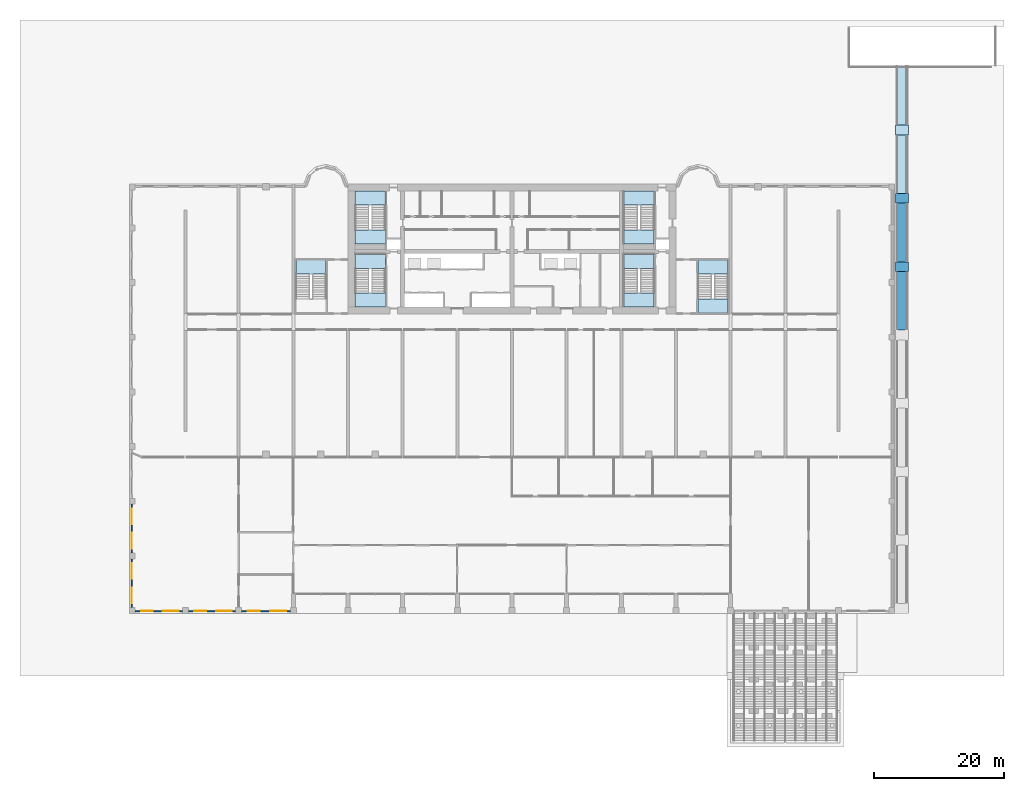
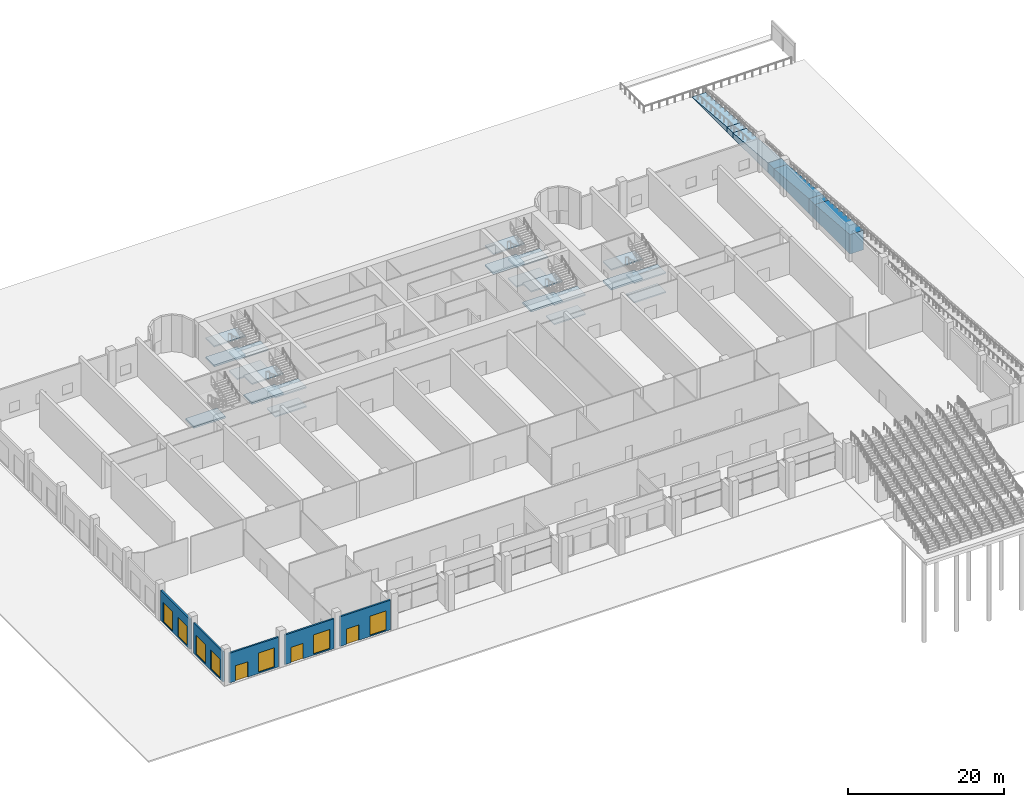
# One storey, part 6 of 20: 28 slabs, 7 windows, 5 walls, 3 doors, 10 openings, 5 elements without a shape of their own.
"""IFC4 building model written with IfcOpenShell, lengths in metres."""

from ifc_helpers import new_model, si_unit, direction, frame, frame_2d, origin, place, context, subcontext, project, spatial, polyline, rectangle, outline, extrude, source, transform, mapped, material, layer, layer_set, type_object, element, fill, aggregate, save


model = new_model("IFC4")

# Units and contexts
model_context = context("Model", 3, precision=1e-05, world=origin(), true_north=direction((0.0, 1.0)))
body_context = subcontext(model_context, "Body", "Model", "MODEL_VIEW")
ifc_project = project(units=[si_unit("LENGTHUNIT", "METRE"), si_unit("AREAUNIT", "SQUARE_METRE"), si_unit("VOLUMEUNIT", "CUBIC_METRE"), si_unit("PLANEANGLEUNIT", "RADIAN"), si_unit("MASSUNIT", "GRAM", prefix="KILO")], contexts=[model_context])

# Site, building, storey
site_placement = place(None, origin())
site = spatial("IfcSite", under=ifc_project, at=site_placement, CompositionType="ELEMENT")
building_placement = place(site_placement, origin())
building = spatial("IfcBuilding", under=site, at=building_placement, Name="Vanashikhar Sky Hotel", CompositionType="ELEMENT")
storey_placement = place(building_placement, origin())
storey = spatial("IfcBuildingStorey", under=building, at=storey_placement, Name="L00", CompositionType="ELEMENT", Elevation=0.0)

# Slabs
ifc_material_1 = material(Name="Concrete M30", Category="concrete")
slab_type_1 = type_object("IfcSlabType", Name="Ramp flight 2000", PredefinedType="USERDEFINED", material=ifc_material_1)
shared_shape_1 = source(origin(), body_context, "Body", "SweptSolid", [
    extrude(outline(polyline([(0.0, 0.0), (9.0, 0.0), (9.0, 0.800048828125), (0.0, 0.050048828125), (0.0, 0.0)])), frame((0.0, 1.0, 0.0), z_axis=(0.0, -1.0, 0.0), x_axis=(1.0, 0.0, 0.0)), (0.0, 0.0, 1.0), 2.0),
])
slab_1_placement = place(storey_placement, frame((110.300048828125, 60.050048828125, -0.050048828125), z_axis=(0.0, 0.0, 1.0), x_axis=(0.0, -1.0, 0.0)))
element("IfcSlab", 1, at=slab_1_placement, inside=storey, type_object=slab_type_1, Name="Entrance ramp slab 1", ObjectType="Ramp slab", PredefinedType="USERDEFINED", context=body_context, shape_type="MappedRepresentation", body=[
    mapped(shared_shape_1, transform((0.0, 0.0, 0.0), scale=1.0)),
])
ifc_material_2 = material(Name="Concrete M40", Category="concrete")
ifc_layer_1 = layer(ifc_material_2, 0.25)
ifc_layer_set_1 = layer_set([ifc_layer_1], Name="Ramp landing")
slab_type_2 = type_object("IfcSlabType", Name="Ramp landing", PredefinedType="LANDING", material=ifc_layer_set_1)
shared_shape_2 = source(origin(), body_context, "Body", "SweptSolid", [
    extrude(outline(polyline([(109.300048828125, 51.050048828125), (111.300048828125, 51.050048828125), (111.300048828125, 49.550048828125), (109.300048828125, 49.550048828125), (109.300048828125, 51.050048828125)])), origin(), (0.0, 0.0, 1.0), 0.800048828125),
])
slab_2_placement = place(storey_placement, frame((0.0, 0.0, -0.050048828125)))
element("IfcSlab", 2, at=slab_2_placement, inside=storey, type_object=slab_type_2, Name="Ramp landing", PredefinedType="LANDING", context=body_context, shape_type="MappedRepresentation", body=[
    mapped(shared_shape_2, transform((0.0, 0.0, 0.0), scale=1.0)),
])
shared_shape_3 = source(origin(), body_context, "Body", "SweptSolid", [
    extrude(outline(polyline([(0.0, 0.0), (9.0, 0.0), (9.0, 1.550048828125), (0.0, 0.800048828125), (0.0, 0.0)])), frame((0.0, 1.0, 0.0), z_axis=(0.0, -1.0, 0.0), x_axis=(1.0, 0.0, 0.0)), (0.0, 0.0, 1.0), 2.0),
])
slab_3_placement = place(storey_placement, frame((110.300048828125, 49.550048828125, -0.050048828125), z_axis=(0.0, 0.0, 1.0), x_axis=(0.0, -1.0, 0.0)))
element("IfcSlab", 3, at=slab_3_placement, inside=storey, type_object=slab_type_1, Name="Entrance ramp slab 2", ObjectType="Ramp slab", PredefinedType="USERDEFINED", context=body_context, shape_type="MappedRepresentation", body=[
    mapped(shared_shape_3, transform((0.0, 0.0, 0.0), scale=1.0)),
])
shared_shape_4 = source(origin(), body_context, "Body", "SweptSolid", [
    extrude(outline(polyline([(109.300048828125, 40.550048828125), (111.300048828125, 40.550048828125), (111.300048828125, 39.050048828125), (109.300048828125, 39.050048828125), (109.300048828125, 40.550048828125)])), origin(), (0.0, 0.0, 1.0), 1.550048828125),
])
slab_4_placement = place(storey_placement, frame((0.0, 0.0, -0.050048828125)))
element("IfcSlab", 4, at=slab_4_placement, inside=storey, type_object=slab_type_2, Name="Ramp landing", PredefinedType="LANDING", context=body_context, shape_type="MappedRepresentation", body=[
    mapped(shared_shape_4, transform((0.0, 0.0, 0.0), scale=1.0)),
])
shared_shape_5 = source(origin(), body_context, "Body", "SweptSolid", [
    extrude(outline(polyline([(0.0, 0.0), (9.0, 0.0), (9.0, 2.300048828125), (0.0, 1.550048828125), (0.0, 0.0)])), frame((0.0, 1.0, 0.0), z_axis=(0.0, -1.0, 0.0), x_axis=(1.0, 0.0, 0.0)), (0.0, 0.0, 1.0), 2.0),
])
slab_5_placement = place(storey_placement, frame((110.300048828125, 39.050048828125, -0.050048828125), z_axis=(0.0, 0.0, 1.0), x_axis=(0.0, -1.0, 0.0)))
element("IfcSlab", 5, at=slab_5_placement, inside=storey, type_object=slab_type_1, Name="Entrance ramp slab 3", ObjectType="Ramp slab", PredefinedType="USERDEFINED", context=body_context, shape_type="MappedRepresentation", body=[
    mapped(shared_shape_5, transform((0.0, 0.0, 0.0), scale=1.0)),
])
shared_shape_6 = source(origin(), body_context, "Body", "SweptSolid", [
    extrude(outline(polyline([(109.300048828125, 30.050048828125), (111.300048828125, 30.050048828125), (111.300048828125, 28.550048828125), (109.300048828125, 28.550048828125), (109.300048828125, 30.050048828125)])), origin(), (0.0, 0.0, 1.0), 2.300048828125),
])
slab_6_placement = place(storey_placement, frame((0.0, 0.0, -0.050048828125)))
element("IfcSlab", 6, at=slab_6_placement, inside=storey, type_object=slab_type_2, Name="Ramp landing", PredefinedType="LANDING", context=body_context, shape_type="MappedRepresentation", body=[
    mapped(shared_shape_6, transform((0.0, 0.0, 0.0), scale=1.0)),
])
shared_shape_7 = source(origin(), body_context, "Body", "SweptSolid", [
    extrude(outline(polyline([(0.0, 0.0), (9.0, 0.0), (9.0, 3.050048828125), (0.0, 2.300048828125), (0.0, 0.0)])), frame((0.0, 1.0, 0.0), z_axis=(0.0, -1.0, 0.0), x_axis=(1.0, 0.0, 0.0)), (0.0, 0.0, 1.0), 2.0),
])
slab_7_placement = place(storey_placement, frame((110.300048828125, 28.550048828125, -0.050048828125), z_axis=(0.0, 0.0, 1.0), x_axis=(0.0, -1.0, 0.0)))
element("IfcSlab", 7, at=slab_7_placement, inside=storey, type_object=slab_type_1, Name="Entrance ramp slab 4", ObjectType="Ramp slab", PredefinedType="USERDEFINED", context=body_context, shape_type="MappedRepresentation", body=[
    mapped(shared_shape_7, transform((0.0, 0.0, 0.0), scale=1.0)),
])

# Stair, slabs
stair_type = type_object("IfcStairType", Name="Exit stair 2150", PredefinedType="DOUBLE_RETURN_STAIR", material=ifc_material_2)
stair_1_placement = place(storey_placement, origin())
stair_1 = element("IfcStair", 8, at=stair_1_placement, inside=storey, type_object=stair_type, Name="L00 Exit stair 1", PredefinedType="DOUBLE_RETURN_STAIR")
ifc_layer_2 = layer(ifc_material_2, 0.199951171875)
ifc_layer_set_2 = layer_set([ifc_layer_2], Name="Stair landing 200")
slab_type_3 = type_object("IfcSlabType", Name="Stair landing 200", PredefinedType="LANDING", material=ifc_layer_set_2)
shared_shape_8 = source(origin(), body_context, "Body", "SweptSolid", [
    extrude(outline(polyline([(30.949951171875, 29.050048828125), (30.949951171875, 31.199951171875), (26.300048828125, 31.199951171875), (26.300048828125, 29.050048828125), (30.949951171875, 29.050048828125)])), origin(), (0.0, 0.0, 1.0), 0.199951171875),
])
slab_8_placement = place(storey_placement, frame((0.0, 0.0, 2.800048828125)))
slab_8 = element("IfcSlab", 9, at=slab_8_placement, type_object=slab_type_3, Name="ST-C1 landing 2", PredefinedType="LANDING", context=body_context, shape_type="MappedRepresentation", body=[
    mapped(shared_shape_8, transform((0.0, 0.0, 0.0), scale=1.0)),
])
shared_shape_9 = source(origin(), body_context, "Body", "SweptSolid", [
    extrude(outline(polyline([(30.949951171875, 23.10009765625), (30.949951171875, 25.25), (26.300048828125, 25.25), (26.300048828125, 23.10009765625), (30.949951171875, 23.10009765625)])), origin(), (0.0, 0.0, 1.0), 0.199951171875),
])
slab_9_placement = place(storey_placement, frame((0.0, 0.0, 1.300048828125)))
slab_9 = element("IfcSlab", 10, at=slab_9_placement, type_object=slab_type_3, Name="ST-C1 landing 1", PredefinedType="LANDING", context=body_context, shape_type="MappedRepresentation", body=[
    mapped(shared_shape_9, transform((0.0, 0.0, 0.0), scale=1.0)),
])
slab_10_placement = place(storey_placement, frame((0.0, 0.0, 4.300048828125)))
slab_10 = element("IfcSlab", 11, at=slab_10_placement, type_object=slab_type_3, Name="ST-C1 landing 3", PredefinedType="LANDING", context=body_context, shape_type="MappedRepresentation", body=[
    mapped(shared_shape_9, transform((0.0, 0.0, 0.0), scale=1.0)),
])
aggregate(stair_1, [slab_9, slab_8, slab_10])

# Slab
ifc_layer_3 = layer(ifc_material_2, 0.280029296875)
ifc_layer_set_3 = layer_set([ifc_layer_3], Name="Stair floor landing 280")
slab_type_4 = type_object("IfcSlabType", Name="Stair floor landing 280", PredefinedType="LANDING", material=ifc_layer_set_3)
shared_shape_10 = source(origin(), body_context, "Body", "SweptSolid", [
    extrude(outline(polyline([(30.949951171875, 29.050048828125), (30.949951171875, 31.199951171875), (26.300048828125, 31.199951171875), (26.300048828125, 29.050048828125), (30.949951171875, 29.050048828125)])), origin(), (0.0, 0.0, 1.0), 0.280029296875),
])
slab_11_placement = place(storey_placement, frame((0.0, 0.0, -0.280029296875)))
element("IfcSlab", 12, at=slab_11_placement, inside=storey, type_object=slab_type_4, Name="Exit stair 1 floor landing", PredefinedType="LANDING", context=body_context, shape_type="MappedRepresentation", body=[
    mapped(shared_shape_10, transform((0.0, 0.0, 0.0), scale=1.0)),
])

# Stair, slabs
stair_2_placement = place(storey_placement, origin())
stair_2 = element("IfcStair", 13, at=stair_2_placement, inside=storey, type_object=stair_type, Name="L00 Exit stair 2", PredefinedType="DOUBLE_RETURN_STAIR")
shared_shape_11 = source(origin(), body_context, "Body", "SweptSolid", [
    extrude(outline(polyline([(72.25, 29.050048828125), (72.25, 31.199951171875), (67.60009765625, 31.199951171875), (67.60009765625, 29.050048828125), (72.25, 29.050048828125)])), origin(), (0.0, 0.0, 1.0), 0.199951171875),
])
slab_12_placement = place(storey_placement, frame((0.0, 0.0, 2.800048828125)))
slab_12 = element("IfcSlab", 14, at=slab_12_placement, type_object=slab_type_3, Name="ST-C2 landing 2", PredefinedType="LANDING", context=body_context, shape_type="MappedRepresentation", body=[
    mapped(shared_shape_11, transform((0.0, 0.0, 0.0), scale=1.0)),
])
shared_shape_12 = source(origin(), body_context, "Body", "SweptSolid", [
    extrude(outline(polyline([(72.25, 23.10009765625), (72.25, 25.25), (67.60009765625, 25.25), (67.60009765625, 23.10009765625), (72.25, 23.10009765625)])), origin(), (0.0, 0.0, 1.0), 0.199951171875),
])
slab_13_placement = place(storey_placement, frame((0.0, 0.0, 1.300048828125)))
slab_13 = element("IfcSlab", 15, at=slab_13_placement, type_object=slab_type_3, Name="ST-C2 landing 1", PredefinedType="LANDING", context=body_context, shape_type="MappedRepresentation", body=[
    mapped(shared_shape_12, transform((0.0, 0.0, 0.0), scale=1.0)),
])
slab_14_placement = place(storey_placement, frame((0.0, 0.0, 4.300048828125)))
slab_14 = element("IfcSlab", 16, at=slab_14_placement, type_object=slab_type_3, Name="ST-C2 landing 3", PredefinedType="LANDING", context=body_context, shape_type="MappedRepresentation", body=[
    mapped(shared_shape_12, transform((0.0, 0.0, 0.0), scale=1.0)),
])
aggregate(stair_2, [slab_13, slab_12, slab_14])

# Slabs
shared_shape_13 = source(origin(), body_context, "Body", "SweptSolid", [
    extrude(outline(polyline([(72.25, 29.050048828125), (72.25, 31.199951171875), (67.60009765625, 31.199951171875), (67.60009765625, 29.050048828125), (72.25, 29.050048828125)])), origin(), (0.0, 0.0, 1.0), 0.280029296875),
])
slab_15_placement = place(storey_placement, frame((0.0, 0.0, -0.280029296875)))
element("IfcSlab", 17, at=slab_15_placement, inside=storey, type_object=slab_type_4, Name="Exit stair 2 floor landing", PredefinedType="LANDING", context=body_context, shape_type="MappedRepresentation", body=[
    mapped(shared_shape_13, transform((0.0, 0.0, 0.0), scale=1.0)),
])
shared_shape_14 = source(origin(), body_context, "Body", "SweptSolid", [
    extrude(outline(polyline([(21.85009765625, 28.14990234375), (21.85009765625, 30.300048828125), (17.199951171875, 30.300048828125), (17.199951171875, 28.14990234375), (21.85009765625, 28.14990234375)])), origin(), (0.0, 0.0, 1.0), 0.280029296875),
])
slab_16_placement = place(storey_placement, frame((0.0, 0.0, -0.280029296875)))
element("IfcSlab", 18, at=slab_16_placement, inside=storey, type_object=slab_type_4, Name="Exit stair 3 floor landing", PredefinedType="LANDING", context=body_context, shape_type="MappedRepresentation", body=[
    mapped(shared_shape_14, transform((0.0, 0.0, 0.0), scale=1.0)),
])

# Stair, slabs
stair_3_placement = place(storey_placement, origin())
stair_3 = element("IfcStair", 19, at=stair_3_placement, inside=storey, type_object=stair_type, Name="L00 Exit stair 4", PredefinedType="DOUBLE_RETURN_STAIR")
shared_shape_15 = source(origin(), body_context, "Body", "SweptSolid", [
    extrude(outline(polyline([(83.60009765625, 28.14990234375), (83.60009765625, 30.300048828125), (78.949951171875, 30.300048828125), (78.949951171875, 28.14990234375), (83.60009765625, 28.14990234375)])), origin(), (0.0, 0.0, 1.0), 0.199951171875),
])
slab_17_placement = place(storey_placement, frame((0.0, 0.0, 2.800048828125)))
slab_17 = element("IfcSlab", 20, at=slab_17_placement, type_object=slab_type_3, Name="ST-E landing 2", PredefinedType="LANDING", context=body_context, shape_type="MappedRepresentation", body=[
    mapped(shared_shape_15, transform((0.0, 0.0, 0.0), scale=1.0)),
])
shared_shape_16 = source(origin(), body_context, "Body", "SweptSolid", [
    extrude(outline(polyline([(83.60009765625, 22.199951171875), (83.60009765625, 24.35009765625), (78.949951171875, 24.35009765625), (78.949951171875, 22.199951171875), (83.60009765625, 22.199951171875)])), origin(), (0.0, 0.0, 1.0), 0.199951171875),
])
slab_18_placement = place(storey_placement, frame((0.0, 0.0, 1.300048828125)))
slab_18 = element("IfcSlab", 21, at=slab_18_placement, type_object=slab_type_3, Name="ST-E landing 1", PredefinedType="LANDING", context=body_context, shape_type="MappedRepresentation", body=[
    mapped(shared_shape_16, transform((0.0, 0.0, 0.0), scale=1.0)),
])
slab_19_placement = place(storey_placement, frame((0.0, 0.0, 4.300048828125)))
slab_19 = element("IfcSlab", 22, at=slab_19_placement, type_object=slab_type_3, Name="ST-E landing 3", PredefinedType="LANDING", context=body_context, shape_type="MappedRepresentation", body=[
    mapped(shared_shape_16, transform((0.0, 0.0, 0.0), scale=1.0)),
])
aggregate(stair_3, [slab_18, slab_17, slab_19])

# Slab
shared_shape_17 = source(origin(), body_context, "Body", "SweptSolid", [
    extrude(outline(polyline([(83.60009765625, 28.14990234375), (83.60009765625, 30.300048828125), (78.949951171875, 30.300048828125), (78.949951171875, 28.14990234375), (83.60009765625, 28.14990234375)])), origin(), (0.0, 0.0, 1.0), 0.280029296875),
])
slab_20_placement = place(storey_placement, frame((0.0, 0.0, -0.280029296875)))
element("IfcSlab", 23, at=slab_20_placement, inside=storey, type_object=slab_type_4, Name="Exit stair 4 floor landing", PredefinedType="LANDING", context=body_context, shape_type="MappedRepresentation", body=[
    mapped(shared_shape_17, transform((0.0, 0.0, 0.0), scale=1.0)),
])

# Stair, slabs
stair_4_placement = place(storey_placement, origin())
stair_4 = element("IfcStair", 24, at=stair_4_placement, inside=storey, type_object=stair_type, Name="L00 Exit stair 5", PredefinedType="DOUBLE_RETURN_STAIR")
shared_shape_18 = source(origin(), body_context, "Body", "SweptSolid", [
    extrude(outline(polyline([(30.949951171875, 38.75), (30.949951171875, 40.89990234375), (26.300048828125, 40.89990234375), (26.300048828125, 38.75), (30.949951171875, 38.75)])), origin(), (0.0, 0.0, 1.0), 0.199951171875),
])
slab_21_placement = place(storey_placement, frame((0.0, 0.0, 2.800048828125)))
slab_21 = element("IfcSlab", 25, at=slab_21_placement, type_object=slab_type_3, Name="ST-C3 landing 2", PredefinedType="LANDING", context=body_context, shape_type="MappedRepresentation", body=[
    mapped(shared_shape_18, transform((0.0, 0.0, 0.0), scale=1.0)),
])
shared_shape_19 = source(origin(), body_context, "Body", "SweptSolid", [
    extrude(outline(polyline([(30.949951171875, 32.800048828125), (30.949951171875, 34.949951171875), (26.300048828125, 34.949951171875), (26.300048828125, 32.800048828125), (30.949951171875, 32.800048828125)])), origin(), (0.0, 0.0, 1.0), 0.199951171875),
])
slab_22_placement = place(storey_placement, frame((0.0, 0.0, 1.300048828125)))
slab_22 = element("IfcSlab", 26, at=slab_22_placement, type_object=slab_type_3, Name="ST-C3 landing 1", PredefinedType="LANDING", context=body_context, shape_type="MappedRepresentation", body=[
    mapped(shared_shape_19, transform((0.0, 0.0, 0.0), scale=1.0)),
])
slab_23_placement = place(storey_placement, frame((0.0, 0.0, 4.300048828125)))
slab_23 = element("IfcSlab", 27, at=slab_23_placement, type_object=slab_type_3, Name="ST-C3 landing 3", PredefinedType="LANDING", context=body_context, shape_type="MappedRepresentation", body=[
    mapped(shared_shape_19, transform((0.0, 0.0, 0.0), scale=1.0)),
])
aggregate(stair_4, [slab_22, slab_21, slab_23])

# Slab
shared_shape_20 = source(origin(), body_context, "Body", "SweptSolid", [
    extrude(outline(polyline([(30.949951171875, 38.75), (30.949951171875, 40.89990234375), (26.300048828125, 40.89990234375), (26.300048828125, 38.75), (30.949951171875, 38.75)])), origin(), (0.0, 0.0, 1.0), 0.280029296875),
])
slab_24_placement = place(storey_placement, frame((0.0, 0.0, -0.280029296875)))
element("IfcSlab", 28, at=slab_24_placement, inside=storey, type_object=slab_type_4, Name="Exit stair 5 floor landing", PredefinedType="LANDING", context=body_context, shape_type="MappedRepresentation", body=[
    mapped(shared_shape_20, transform((0.0, 0.0, 0.0), scale=1.0)),
])

# Stair, slabs
stair_5_placement = place(storey_placement, origin())
stair_5 = element("IfcStair", 29, at=stair_5_placement, inside=storey, type_object=stair_type, Name="L00 Exit stair 6", PredefinedType="DOUBLE_RETURN_STAIR")
shared_shape_21 = source(origin(), body_context, "Body", "SweptSolid", [
    extrude(outline(polyline([(72.25, 38.75), (72.25, 40.89990234375), (67.60009765625, 40.89990234375), (67.60009765625, 38.75), (72.25, 38.75)])), origin(), (0.0, 0.0, 1.0), 0.199951171875),
])
slab_25_placement = place(storey_placement, frame((0.0, 0.0, 2.800048828125)))
slab_25 = element("IfcSlab", 30, at=slab_25_placement, type_object=slab_type_3, Name="ST-C4 landing 2", PredefinedType="LANDING", context=body_context, shape_type="MappedRepresentation", body=[
    mapped(shared_shape_21, transform((0.0, 0.0, 0.0), scale=1.0)),
])
shared_shape_22 = source(origin(), body_context, "Body", "SweptSolid", [
    extrude(outline(polyline([(72.25, 32.800048828125), (72.25, 34.949951171875), (67.60009765625, 34.949951171875), (67.60009765625, 32.800048828125), (72.25, 32.800048828125)])), origin(), (0.0, 0.0, 1.0), 0.199951171875),
])
slab_26_placement = place(storey_placement, frame((0.0, 0.0, 1.300048828125)))
slab_26 = element("IfcSlab", 31, at=slab_26_placement, type_object=slab_type_3, Name="ST-C4 landing 1", PredefinedType="LANDING", context=body_context, shape_type="MappedRepresentation", body=[
    mapped(shared_shape_22, transform((0.0, 0.0, 0.0), scale=1.0)),
])
slab_27_placement = place(storey_placement, frame((0.0, 0.0, 4.300048828125)))
slab_27 = element("IfcSlab", 32, at=slab_27_placement, type_object=slab_type_3, Name="ST-C4 landing 3", PredefinedType="LANDING", context=body_context, shape_type="MappedRepresentation", body=[
    mapped(shared_shape_22, transform((0.0, 0.0, 0.0), scale=1.0)),
])
aggregate(stair_5, [slab_26, slab_25, slab_27])

# Slab
shared_shape_23 = source(origin(), body_context, "Body", "SweptSolid", [
    extrude(outline(polyline([(72.25, 38.75), (72.25, 40.89990234375), (67.60009765625, 40.89990234375), (67.60009765625, 38.75), (72.25, 38.75)])), origin(), (0.0, 0.0, 1.0), 0.280029296875),
])
slab_28_placement = place(storey_placement, frame((0.0, 0.0, -0.280029296875)))
element("IfcSlab", 33, at=slab_28_placement, inside=storey, type_object=slab_type_4, Name="Exit stair 6 floor landing", PredefinedType="LANDING", context=body_context, shape_type="MappedRepresentation", body=[
    mapped(shared_shape_23, transform((0.0, 0.0, 0.0), scale=1.0)),
])

# Wall, openings, windows
ifc_material_3 = material(Name="Concrete M50", Category="concrete")
ifc_layer_4 = layer(ifc_material_3, 0.25)
ifc_layer_set_4 = layer_set([ifc_layer_4], Name="Rear and end board-marked wall 250")
wall_type = type_object("IfcWallType", Name="Rear and end board-marked wall 250", PredefinedType="SOLIDWALL", material=ifc_layer_set_4)
shared_shape_24 = source(origin(), body_context, "Body", "SweptSolid", [
    extrude(rectangle(XDim=7.5, YDim=0.25, at=frame_2d((3.75, 0.0))), origin(), (0.0, 0.0, 1.0), 4.719970703125),
])
wall_1_placement = place(storey_placement, frame((-8.02490234375, -7.199951171875, 0.0), z_axis=(0.0, 0.0, 1.0), x_axis=(0.0, -1.0, 0.0)))
wall_1 = element("IfcWall", 34, at=wall_1_placement, inside=storey, type_object=wall_type, Name="Podium external wall", PredefinedType="SOLIDWALL", context=body_context, shape_type="MappedRepresentation", body=[
    mapped(shared_shape_24, transform((0.0, 0.0, 0.0), scale=1.0)),
])
shared_shape_25 = source(origin(), body_context, "Body", "SweptSolid", [
    extrude(rectangle(XDim=2.39990234375, YDim=3.0, at=frame_2d((1.199951171875, 1.5))), frame((0.0, 0.135009765625, 0.0), z_axis=(0.0, -1.0, 0.0), x_axis=(1.0, 0.0, 0.0)), (0.0, 0.0, 1.0), 0.27001953125),
])
opening_1_placement = place(wall_1_placement, frame((0.675048828125, 0.0, 0.199951171875)))
opening_1 = element("IfcOpeningElement", 35, at=opening_1_placement, cuts=wall_1, Name="Opening WN-5", PredefinedType="OPENING", context=body_context, shape_type="MappedRepresentation", body=[
    mapped(shared_shape_25, transform((0.0, 0.0, 0.0), scale=1.0)),
])
opening_2_placement = place(wall_1_placement, frame((4.425048828125, 0.0, 0.199951171875)))
opening_2 = element("IfcOpeningElement", 36, at=opening_2_placement, cuts=wall_1, Name="Opening WN-5", PredefinedType="OPENING", context=body_context, shape_type="MappedRepresentation", body=[
    mapped(shared_shape_25, transform((0.0, 0.0, 0.0), scale=1.0)),
])
ifc_material_4 = material(Name="Glass", Category="glass")
window_type = type_object("IfcWindowType", Name="Shopfront window 2400 x 3000", PartitioningType="SINGLE_PANEL", PredefinedType="WINDOW", material=ifc_material_4)
shared_shape_26 = source(origin(), body_context, "Body", "SweptSolid", [
    extrude(rectangle(XDim=2.39990234375, YDim=3.0, at=frame_2d((1.199951171875, 1.5))), frame((0.0, 0.030029296875, 0.0), z_axis=(0.0, -1.0, 0.0), x_axis=(1.0, 0.0, 0.0)), (0.0, 0.0, 1.0), 0.06005859375),
])
window_1_placement = place(opening_1_placement, origin())
window_1 = element("IfcWindow", 37, at=window_1_placement, inside=storey, type_object=window_type, Name="Window WN-5", OverallHeight=3.0, OverallWidth=2.39990234375, PartitioningType="SINGLE_PANEL", PredefinedType="WINDOW", context=body_context, shape_type="MappedRepresentation", body=[
    mapped(shared_shape_26, transform((0.0, 0.0, 0.0), scale=1.0)),
])
fill(opening_1, window_1)
window_2_placement = place(opening_2_placement, origin())
window_2 = element("IfcWindow", 38, at=window_2_placement, inside=storey, type_object=window_type, Name="Window WN-5", OverallHeight=3.0, OverallWidth=2.39990234375, PartitioningType="SINGLE_PANEL", PredefinedType="WINDOW", context=body_context, shape_type="MappedRepresentation", body=[
    mapped(shared_shape_26, transform((0.0, 0.0, 0.0), scale=1.0)),
])
fill(opening_2, window_2)

wall_2_placement = place(storey_placement, frame((-8.02490234375, -15.60009765625, 0.0), z_axis=(0.0, 0.0, 1.0), x_axis=(0.0, -1.0, 0.0)))
wall_2 = element("IfcWall", 39, at=wall_2_placement, inside=storey, type_object=wall_type, Name="Podium external wall", PredefinedType="SOLIDWALL", context=body_context, shape_type="MappedRepresentation", body=[
    mapped(shared_shape_24, transform((0.0, 0.0, 0.0), scale=1.0)),
])
opening_3_placement = place(wall_2_placement, frame((0.675048828125, 0.0, 0.199951171875)))
opening_3 = element("IfcOpeningElement", 40, at=opening_3_placement, cuts=wall_2, Name="Opening WN-5", PredefinedType="OPENING", context=body_context, shape_type="MappedRepresentation", body=[
    mapped(shared_shape_25, transform((0.0, 0.0, 0.0), scale=1.0)),
])
opening_4_placement = place(wall_2_placement, frame((4.425048828125, 0.0, 0.199951171875)))
opening_4 = element("IfcOpeningElement", 41, at=opening_4_placement, cuts=wall_2, Name="Opening WN-5", PredefinedType="OPENING", context=body_context, shape_type="MappedRepresentation", body=[
    mapped(shared_shape_25, transform((0.0, 0.0, 0.0), scale=1.0)),
])
window_3_placement = place(opening_3_placement, origin())
window_3 = element("IfcWindow", 42, at=window_3_placement, inside=storey, type_object=window_type, Name="Window WN-5", OverallHeight=3.0, OverallWidth=2.39990234375, PartitioningType="SINGLE_PANEL", PredefinedType="WINDOW", context=body_context, shape_type="MappedRepresentation", body=[
    mapped(shared_shape_26, transform((0.0, 0.0, 0.0), scale=1.0)),
])
fill(opening_3, window_3)
window_4_placement = place(opening_4_placement, origin())
window_4 = element("IfcWindow", 43, at=window_4_placement, inside=storey, type_object=window_type, Name="Window WN-5", OverallHeight=3.0, OverallWidth=2.39990234375, PartitioningType="SINGLE_PANEL", PredefinedType="WINDOW", context=body_context, shape_type="MappedRepresentation", body=[
    mapped(shared_shape_26, transform((0.0, 0.0, 0.0), scale=1.0)),
])
fill(opening_4, window_4)

# Wall, openings, window, door
shared_shape_27 = source(origin(), body_context, "Body", "SweptSolid", [
    extrude(rectangle(XDim=7.27490234375, YDim=0.25, at=frame_2d((3.637451171875, 0.0))), origin(), (0.0, 0.0, 1.0), 4.64990234375),
])
wall_3_placement = place(storey_placement, frame((-7.5, -23.625, 0.0), z_axis=(0.0, 0.0, 1.0), x_axis=(1.0, 0.0, 0.0)))
wall_3 = element("IfcWall", 44, at=wall_3_placement, inside=storey, type_object=wall_type, Name="Podium external wall", PredefinedType="SOLIDWALL", context=body_context, shape_type="MappedRepresentation", body=[
    mapped(shared_shape_27, transform((0.0, 0.0, 0.0), scale=1.0)),
])
shared_shape_28 = source(origin(), body_context, "Body", "SweptSolid", [
    extrude(rectangle(XDim=1.800048828125, YDim=2.39990234375, at=frame_2d((0.89990234375, 1.199951171875))), frame((0.0, 0.135009765625, 0.0), z_axis=(0.0, -1.0, 0.0), x_axis=(1.0, 0.0, 0.0)), (0.0, 0.0, 1.0), 0.27001953125),
])
opening_5_placement = place(wall_3_placement, frame((0.918701171875, 0.0, 0.0)))
opening_5 = element("IfcOpeningElement", 45, at=opening_5_placement, cuts=wall_3, Name="Opening DX-2-001", PredefinedType="OPENING", context=body_context, shape_type="MappedRepresentation", body=[
    mapped(shared_shape_28, transform((0.0, 0.0, 0.0), scale=1.0)),
])
opening_6_placement = place(wall_3_placement, frame((4.256103515625, 0.0, 0.199951171875)))
opening_6 = element("IfcOpeningElement", 46, at=opening_6_placement, cuts=wall_3, Name="Opening WN-5", PredefinedType="OPENING", context=body_context, shape_type="MappedRepresentation", body=[
    mapped(shared_shape_25, transform((0.0, 0.0, 0.0), scale=1.0)),
])
window_5_placement = place(opening_6_placement, origin())
window_5 = element("IfcWindow", 47, at=window_5_placement, inside=storey, type_object=window_type, Name="Window WN-5", OverallHeight=3.0, OverallWidth=2.39990234375, PartitioningType="SINGLE_PANEL", PredefinedType="WINDOW", context=body_context, shape_type="MappedRepresentation", body=[
    mapped(shared_shape_26, transform((0.0, 0.0, 0.0), scale=1.0)),
])
fill(opening_6, window_5)
ifc_material_5 = material(Name="Aluminium", Category="aluminium")
door_type = type_object("IfcDoorType", Name="Garden double door 1800 x 2400", OperationType="NOTDEFINED", PredefinedType="DOOR", material=ifc_material_5)
shared_shape_29 = source(origin(), body_context, "Body", "SweptSolid", [
    extrude(rectangle(XDim=1.800048828125, YDim=2.39990234375, at=frame_2d((0.89990234375, 1.199951171875))), frame((0.0, 0.02490234375, 0.0), z_axis=(0.0, -1.0, 0.0), x_axis=(1.0, 0.0, 0.0)), (0.0, 0.0, 1.0), 0.050048828125),
])
door_1_placement = place(opening_5_placement, origin())
door_1 = element("IfcDoor", 48, at=door_1_placement, inside=storey, type_object=door_type, Name="Garden double door", OperationType="DOUBLE_DOOR_SINGLE_SWING", OverallHeight=2.39990234375, OverallWidth=1.800048828125, PredefinedType="DOOR", context=body_context, shape_type="MappedRepresentation", body=[
    mapped(shared_shape_29, transform((0.0, 0.0, 0.0), scale=1.0)),
])
fill(opening_5, door_1)

wall_4_placement = place(storey_placement, frame((0.675048828125, -23.625, 0.0), z_axis=(0.0, 0.0, 1.0), x_axis=(1.0, 0.0, 0.0)))
wall_4 = element("IfcWall", 49, at=wall_4_placement, inside=storey, type_object=wall_type, Name="Podium external wall", PredefinedType="SOLIDWALL", context=body_context, shape_type="MappedRepresentation", body=[
    mapped(shared_shape_27, transform((0.0, 0.0, 0.0), scale=1.0)),
])
opening_7_placement = place(wall_4_placement, frame((0.918701171875, 0.0, 0.0)))
opening_7 = element("IfcOpeningElement", 50, at=opening_7_placement, cuts=wall_4, Name="Opening DX-2-002", PredefinedType="OPENING", context=body_context, shape_type="MappedRepresentation", body=[
    mapped(shared_shape_28, transform((0.0, 0.0, 0.0), scale=1.0)),
])
opening_8_placement = place(wall_4_placement, frame((4.25634765625, 0.0, 0.199951171875)))
opening_8 = element("IfcOpeningElement", 51, at=opening_8_placement, cuts=wall_4, Name="Opening WN-5", PredefinedType="OPENING", context=body_context, shape_type="MappedRepresentation", body=[
    mapped(shared_shape_25, transform((0.0, 0.0, 0.0), scale=1.0)),
])
window_6_placement = place(opening_8_placement, origin())
window_6 = element("IfcWindow", 52, at=window_6_placement, inside=storey, type_object=window_type, Name="Window WN-5", OverallHeight=3.0, OverallWidth=2.39990234375, PartitioningType="SINGLE_PANEL", PredefinedType="WINDOW", context=body_context, shape_type="MappedRepresentation", body=[
    mapped(shared_shape_26, transform((0.0, 0.0, 0.0), scale=1.0)),
])
fill(opening_8, window_6)
door_2_placement = place(opening_7_placement, origin())
door_2 = element("IfcDoor", 53, at=door_2_placement, inside=storey, type_object=door_type, Name="Garden double door", OperationType="DOUBLE_DOOR_SINGLE_SWING", OverallHeight=2.39990234375, OverallWidth=1.800048828125, PredefinedType="DOOR", context=body_context, shape_type="MappedRepresentation", body=[
    mapped(shared_shape_29, transform((0.0, 0.0, 0.0), scale=1.0)),
])
fill(opening_7, door_2)

shared_shape_30 = source(origin(), body_context, "Body", "SweptSolid", [
    extrude(rectangle(XDim=7.5, YDim=0.25, at=frame_2d((3.75, 0.0))), origin(), (0.0, 0.0, 1.0), 4.64990234375),
])
wall_5_placement = place(storey_placement, frame((8.85009765625, -23.625, 0.0), z_axis=(0.0, 0.0, 1.0), x_axis=(1.0, 0.0, 0.0)))
wall_5 = element("IfcWall", 54, at=wall_5_placement, inside=storey, type_object=wall_type, Name="Podium external wall", PredefinedType="SOLIDWALL", context=body_context, shape_type="MappedRepresentation", body=[
    mapped(shared_shape_30, transform((0.0, 0.0, 0.0), scale=1.0)),
])
opening_9_placement = place(wall_5_placement, frame((0.97509765625, 0.0, 0.0)))
opening_9 = element("IfcOpeningElement", 55, at=opening_9_placement, cuts=wall_5, Name="Opening DX-2-003", PredefinedType="OPENING", context=body_context, shape_type="MappedRepresentation", body=[
    mapped(shared_shape_28, transform((0.0, 0.0, 0.0), scale=1.0)),
])
opening_10_placement = place(wall_5_placement, frame((4.425048828125, 0.0, 0.199951171875)))
opening_10 = element("IfcOpeningElement", 56, at=opening_10_placement, cuts=wall_5, Name="Opening WN-5", PredefinedType="OPENING", context=body_context, shape_type="MappedRepresentation", body=[
    mapped(shared_shape_25, transform((0.0, 0.0, 0.0), scale=1.0)),
])
window_7_placement = place(opening_10_placement, origin())
window_7 = element("IfcWindow", 57, at=window_7_placement, inside=storey, type_object=window_type, Name="Window WN-5", OverallHeight=3.0, OverallWidth=2.39990234375, PartitioningType="SINGLE_PANEL", PredefinedType="WINDOW", context=body_context, shape_type="MappedRepresentation", body=[
    mapped(shared_shape_26, transform((0.0, 0.0, 0.0), scale=1.0)),
])
fill(opening_10, window_7)
door_3_placement = place(opening_9_placement, origin())
door_3 = element("IfcDoor", 58, at=door_3_placement, inside=storey, type_object=door_type, Name="Garden double door", OperationType="DOUBLE_DOOR_SINGLE_SWING", OverallHeight=2.39990234375, OverallWidth=1.800048828125, PredefinedType="DOOR", context=body_context, shape_type="MappedRepresentation", body=[
    mapped(shared_shape_29, transform((0.0, 0.0, 0.0), scale=1.0)),
])
fill(opening_9, door_3)

save(model, "model.ifc")
